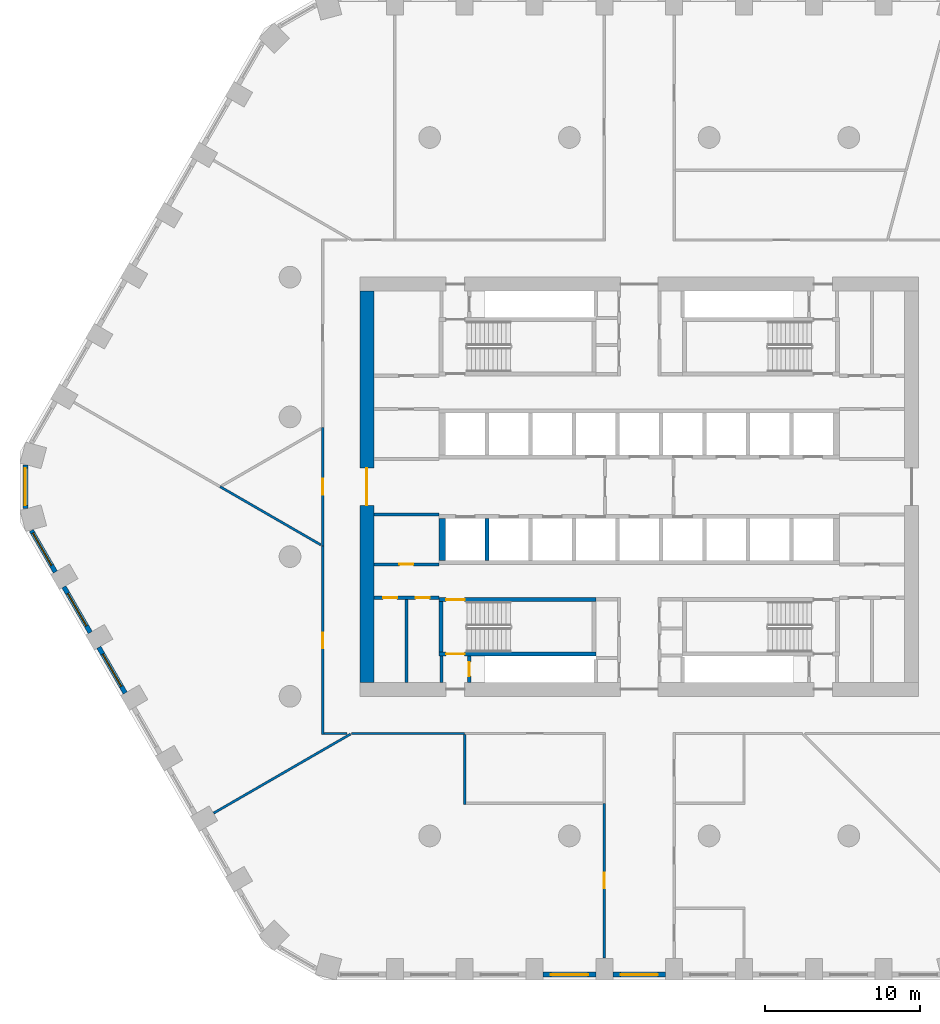
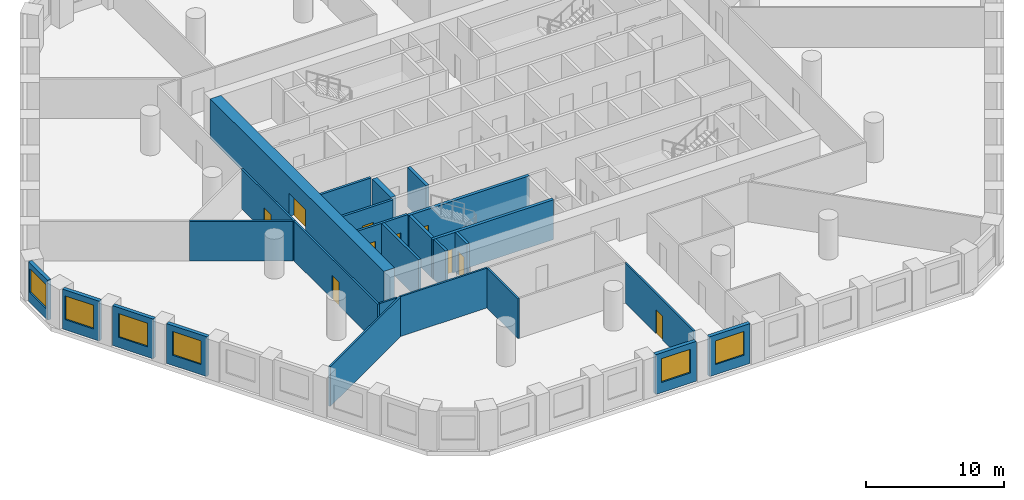
# One storey, part 2 of 10: 26 walls, 10 doors, 6 windows, 16 openings.
"""IFC4 building model written with IfcOpenShell, lengths in metres."""

from ifc_helpers import new_model, si_unit, direction, frame, frame_2d, origin, place, context, subcontext, project, spatial, polyline, rectangle, outline, extrude, material, layer, layer_set, type_object, element, fill, save


model = new_model("IFC4")

# Units and contexts
model_context = context("Model", 3, precision=1e-05, world=origin(), true_north=direction((0.0, 1.0)))
body_context = subcontext(model_context, "Body", "Model", "MODEL_VIEW")
ifc_project = project(units=[si_unit("LENGTHUNIT", "METRE"), si_unit("AREAUNIT", "SQUARE_METRE"), si_unit("VOLUMEUNIT", "CUBIC_METRE"), si_unit("PLANEANGLEUNIT", "RADIAN"), si_unit("MASSUNIT", "GRAM", prefix="KILO")], contexts=[model_context])

# Site, building, storey
site_placement = place(None, origin())
site = spatial("IfcSite", under=ifc_project, at=site_placement, CompositionType="ELEMENT")
building_placement = place(site_placement, origin())
building = spatial("IfcBuilding", under=site, at=building_placement, Name="Dhurran Vertical Campus", CompositionType="ELEMENT")
storey_placement = place(building_placement, frame((0.0, 0.0, 41.699951171875)))
storey = spatial("IfcBuildingStorey", under=building, at=storey_placement, Name="L09", CompositionType="ELEMENT", Elevation=41.699951171875)

# Wall, opening, window
ifc_material_1 = material(Name="Precast concrete C50/60", Category="concrete")
ifc_layer_1 = layer(ifc_material_1, 0.300048828125)
ifc_layer_set_1 = layer_set([ifc_layer_1], Name="Precast concrete C50/60")
wall_type_1 = type_object("IfcWallType", Name="Precast spandrel wall 300", PredefinedType="SOLIDWALL", material=ifc_layer_set_1)
wall_1_placement = place(storey_placement, frame((-6.199462890625, -31.4296875, 0.0), z_axis=(0.0, 0.0, 1.0), x_axis=(1.0, 0.0, 0.0)))
wall_1 = element("IfcWall", 1, at=wall_1_placement, inside=storey, type_object=wall_type_1, Name="EW1 L09.03", PredefinedType="SOLIDWALL", context=body_context, shape_type="SweptSolid", body=[
    extrude(rectangle(XDim=3.39892578125, YDim=0.300048828125, at=frame_2d((1.699462890625, 0.0))), origin(), (0.0, 0.0, 1.0), 3.525146484375),
])
opening_1_placement = place(wall_1_placement, frame((0.49951171875, 0.0, 0.89990234375)))
opening_1 = element("IfcOpeningElement", 2, at=opening_1_placement, cuts=wall_1, Name="Opening WT1", PredefinedType="OPENING", context=body_context, shape_type="SweptSolid", body=[
    extrude(rectangle(XDim=2.39990234375, YDim=2.10009765625, at=frame_2d((1.199951171875, 1.050048828125))), frame((0.0, 0.159912109375, 0.0), z_axis=(0.0, -1.0, 0.0), x_axis=(1.0, 0.0, 0.0)), (0.0, 0.0, 1.0), 0.320068359375),
])
ifc_material_2 = material(Name="Aluminium frame with solar-control glass", Category="aluminium")
window_type = type_object("IfcWindowType", Name="Punched window 2400 x 2100", PartitioningType="SINGLE_PANEL", PredefinedType="WINDOW", material=ifc_material_2)
window_1_placement = place(opening_1_placement, origin())
window_1 = element("IfcWindow", 3, at=window_1_placement, inside=storey, type_object=window_type, Name="WT1 L09.03", OverallHeight=2.10009765625, OverallWidth=2.39990234375, PartitioningType="SINGLE_PANEL", PredefinedType="WINDOW", context=body_context, shape_type="SweptSolid", body=[
    extrude(rectangle(XDim=2.39990234375, YDim=2.10009765625, at=frame_2d((1.199951171875, 1.050048828125))), frame((0.0, 0.030029296875, 0.0), z_axis=(0.0, -1.0, 0.0), x_axis=(1.0, 0.0, 0.0)), (0.0, 0.0, 1.0), 0.06005859375),
])
fill(opening_1, window_1)

wall_2_placement = place(storey_placement, frame((-1.699462890625, -31.4296875, 0.0), z_axis=(0.0, 0.0, 1.0), x_axis=(1.0, 0.0, 0.0)))
wall_2 = element("IfcWall", 4, at=wall_2_placement, inside=storey, type_object=wall_type_1, Name="EW1 L09.04", PredefinedType="SOLIDWALL", context=body_context, shape_type="SweptSolid", body=[
    extrude(rectangle(XDim=3.39892578125, YDim=0.300048828125, at=frame_2d((1.699462890625, 0.0))), origin(), (0.0, 0.0, 1.0), 3.525146484375),
])
opening_2_placement = place(wall_2_placement, frame((0.49951171875, 0.0, 0.89990234375)))
opening_2 = element("IfcOpeningElement", 5, at=opening_2_placement, cuts=wall_2, Name="Opening WT1", PredefinedType="OPENING", context=body_context, shape_type="SweptSolid", body=[
    extrude(rectangle(XDim=2.39990234375, YDim=2.10009765625, at=frame_2d((1.199951171875, 1.050048828125))), frame((0.0, 0.159912109375, 0.0), z_axis=(0.0, -1.0, 0.0), x_axis=(1.0, 0.0, 0.0)), (0.0, 0.0, 1.0), 0.320068359375),
])
window_2_placement = place(opening_2_placement, origin())
window_2 = element("IfcWindow", 6, at=window_2_placement, inside=storey, type_object=window_type, Name="WT1 L09.04", OverallHeight=2.10009765625, OverallWidth=2.39990234375, PartitioningType="SINGLE_PANEL", PredefinedType="WINDOW", context=body_context, shape_type="SweptSolid", body=[
    extrude(rectangle(XDim=2.39990234375, YDim=2.10009765625, at=frame_2d((1.199951171875, 1.050048828125))), frame((0.0, 0.030029296875, 0.0), z_axis=(0.0, -1.0, 0.0), x_axis=(1.0, 0.0, 0.0)), (0.0, 0.0, 1.0), 0.06005859375),
])
fill(opening_2, window_2)

wall_3_placement = place(storey_placement, frame((-39.547119140625, 1.39111328125, 0.0), z_axis=(0.0, 0.0, 1.0), x_axis=(0.0, -1.0, 0.0)))
wall_3 = element("IfcWall", 7, at=wall_3_placement, inside=storey, type_object=wall_type_1, Name="EW1 L09.43", PredefinedType="SOLIDWALL", context=body_context, shape_type="SweptSolid", body=[
    extrude(rectangle(XDim=2.7822265625, YDim=0.300048828125, at=frame_2d((1.39111328125, 0.0))), origin(), (0.0, 0.0, 1.0), 3.525146484375),
])
opening_3_placement = place(wall_3_placement, frame((0.191162109375, 0.0, 0.89990234375)))
opening_3 = element("IfcOpeningElement", 8, at=opening_3_placement, cuts=wall_3, Name="Opening WT1", PredefinedType="OPENING", context=body_context, shape_type="SweptSolid", body=[
    extrude(rectangle(XDim=2.39990234375, YDim=2.10009765625, at=frame_2d((1.199951171875, 1.050048828125))), frame((0.0, 0.159912109375, 0.0), z_axis=(0.0, -1.0, 0.0), x_axis=(1.0, 0.0, 0.0)), (0.0, 0.0, 1.0), 0.320068359375),
])
window_3_placement = place(opening_3_placement, origin())
window_3 = element("IfcWindow", 9, at=window_3_placement, inside=storey, type_object=window_type, Name="WT1 L09.43", OverallHeight=2.10009765625, OverallWidth=2.39990234375, PartitioningType="SINGLE_PANEL", PredefinedType="WINDOW", context=body_context, shape_type="SweptSolid", body=[
    extrude(rectangle(XDim=2.39990234375, YDim=2.10009765625, at=frame_2d((1.199951171875, 1.050048828125))), frame((0.0, 0.030029296875, 0.0), z_axis=(0.0, -1.0, 0.0), x_axis=(1.0, 0.0, 0.0)), (0.0, 0.0, 1.0), 0.06005859375),
])
fill(opening_3, window_3)

wall_4_placement = place(storey_placement, frame((-39.16455078125, -2.81884765625, 0.0), z_axis=(0.0, 0.0, 1.0), x_axis=(0.49997090907, -0.866042198789, 0.0)))
wall_4 = element("IfcWall", 10, at=wall_4_placement, inside=storey, type_object=wall_type_1, Name="EW1 L09.44", PredefinedType="SOLIDWALL", context=body_context, shape_type="SweptSolid", body=[
    extrude(rectangle(XDim=3.090576171875, YDim=0.300048828125, at=frame_2d((1.54541015625, 0.0))), origin(), (0.0, 0.0, 1.0), 3.525146484375),
])
opening_4_placement = place(wall_4_placement, frame((0.19091796875, 0.0, 0.89990234375)))
opening_4 = element("IfcOpeningElement", 11, at=opening_4_placement, cuts=wall_4, Name="Opening WT1", PredefinedType="OPENING", context=body_context, shape_type="SweptSolid", body=[
    extrude(rectangle(XDim=2.39990234375, YDim=2.10009765625, at=frame_2d((1.199951171875, 1.050048828125))), frame((0.0, 0.159912109375, 0.0), z_axis=(0.0, -1.0, 0.0), x_axis=(1.0, 0.0, 0.0)), (0.0, 0.0, 1.0), 0.320068359375),
])
window_4_placement = place(opening_4_placement, origin())
window_4 = element("IfcWindow", 12, at=window_4_placement, inside=storey, type_object=window_type, Name="WT1 L09.44", OverallHeight=2.10009765625, OverallWidth=2.39990234375, PartitioningType="SINGLE_PANEL", PredefinedType="WINDOW", context=body_context, shape_type="SweptSolid", body=[
    extrude(rectangle(XDim=2.39990234375, YDim=2.10009765625, at=frame_2d((1.199951171875, 1.050048828125))), frame((0.0, 0.030029296875, 0.0), z_axis=(0.0, -1.0, 0.0), x_axis=(1.0, 0.0, 0.0)), (0.0, 0.0, 1.0), 0.06005859375),
])
fill(opening_4, window_4)

wall_5_placement = place(storey_placement, frame((-37.06884765625, -6.448974609375, 0.0), z_axis=(0.0, 0.0, 1.0), x_axis=(0.499993955907, -0.866028893315, 0.0)))
wall_5 = element("IfcWall", 13, at=wall_5_placement, inside=storey, type_object=wall_type_1, Name="EW1 L09.45", PredefinedType="SOLIDWALL", context=body_context, shape_type="SweptSolid", body=[
    extrude(rectangle(XDim=3.39892578125, YDim=0.300048828125, at=frame_2d((1.699462890625, 0.0))), origin(), (0.0, 0.0, 1.0), 3.525146484375),
])
opening_5_placement = place(wall_5_placement, frame((0.49951171875, 0.0, 0.89990234375)))
opening_5 = element("IfcOpeningElement", 14, at=opening_5_placement, cuts=wall_5, Name="Opening WT1", PredefinedType="OPENING", context=body_context, shape_type="SweptSolid", body=[
    extrude(rectangle(XDim=2.39990234375, YDim=2.10009765625, at=frame_2d((1.199951171875, 1.050048828125))), frame((0.0, 0.159912109375, 0.0), z_axis=(0.0, -1.0, 0.0), x_axis=(1.0, 0.0, 0.0)), (0.0, 0.0, 1.0), 0.320068359375),
])
window_5_placement = place(opening_5_placement, origin())
window_5 = element("IfcWindow", 15, at=window_5_placement, inside=storey, type_object=window_type, Name="WT1 L09.45", OverallHeight=2.10009765625, OverallWidth=2.39990234375, PartitioningType="SINGLE_PANEL", PredefinedType="WINDOW", context=body_context, shape_type="SweptSolid", body=[
    extrude(rectangle(XDim=2.39990234375, YDim=2.10009765625, at=frame_2d((1.199951171875, 1.050048828125))), frame((0.0, 0.030029296875, 0.0), z_axis=(0.0, -1.0, 0.0), x_axis=(1.0, 0.0, 0.0)), (0.0, 0.0, 1.0), 0.06005859375),
])
fill(opening_5, window_5)

wall_6_placement = place(storey_placement, frame((-34.81884765625, -10.345947265625, 0.0), z_axis=(0.0, 0.0, 1.0), x_axis=(0.499993955907, -0.866028893315, 0.0)))
wall_6 = element("IfcWall", 16, at=wall_6_placement, inside=storey, type_object=wall_type_1, Name="EW1 L09.46", PredefinedType="SOLIDWALL", context=body_context, shape_type="SweptSolid", body=[
    extrude(rectangle(XDim=3.39892578125, YDim=0.300048828125, at=frame_2d((1.699462890625, 0.0))), origin(), (0.0, 0.0, 1.0), 3.525146484375),
])
opening_6_placement = place(wall_6_placement, frame((0.49951171875, 0.0, 0.89990234375)))
opening_6 = element("IfcOpeningElement", 17, at=opening_6_placement, cuts=wall_6, Name="Opening WT1", PredefinedType="OPENING", context=body_context, shape_type="SweptSolid", body=[
    extrude(rectangle(XDim=2.39990234375, YDim=2.10009765625, at=frame_2d((1.199951171875, 1.050048828125))), frame((0.0, 0.159912109375, 0.0), z_axis=(0.0, -1.0, 0.0), x_axis=(1.0, 0.0, 0.0)), (0.0, 0.0, 1.0), 0.320068359375),
])
window_6_placement = place(opening_6_placement, origin())
window_6 = element("IfcWindow", 18, at=window_6_placement, inside=storey, type_object=window_type, Name="WT1 L09.46", OverallHeight=2.10009765625, OverallWidth=2.39990234375, PartitioningType="SINGLE_PANEL", PredefinedType="WINDOW", context=body_context, shape_type="SweptSolid", body=[
    extrude(rectangle(XDim=2.39990234375, YDim=2.10009765625, at=frame_2d((1.199951171875, 1.050048828125))), frame((0.0, 0.030029296875, 0.0), z_axis=(0.0, -1.0, 0.0), x_axis=(1.0, 0.0, 0.0)), (0.0, 0.0, 1.0), 0.06005859375),
])
fill(opening_6, window_6)

# Wall, opening, door
ifc_material_3 = material(Name="Concrete C60/75", Category="concrete")
ifc_layer_2 = layer(ifc_material_3, 0.89990234375)
ifc_layer_set_2 = layer_set([ifc_layer_2], Name="Concrete C60/75")
wall_type_2 = type_object("IfcWallType", Name="co-CORE-WALL-C0-900", PredefinedType="SHEAR", material=ifc_layer_set_2)
wall_7_placement = place(storey_placement, frame((-17.550048828125, -12.60009765625, 0.0), z_axis=(0.0, 0.0, 1.0), x_axis=(0.0, 1.0, 0.0)))
wall_7 = element("IfcWall", 19, at=wall_7_placement, inside=storey, type_object=wall_type_2, Name="Core wall W L09", PredefinedType="SHEAR", context=body_context, shape_type="SweptSolid", body=[
    extrude(rectangle(XDim=25.2001953125, YDim=0.89990234375, at=frame_2d((12.60009765625, 0.0))), origin(), (0.0, 0.0, 1.0), 3.525146484375),
])
opening_7_placement = place(wall_7_placement, frame((11.39990234375, 0.0, 0.0)))
opening_7 = element("IfcOpeningElement", 20, at=opening_7_placement, cuts=wall_7, Name="Opening CL1", PredefinedType="OPENING", context=body_context, shape_type="SweptSolid", body=[
    extrude(rectangle(XDim=2.39990234375, YDim=2.10009765625, at=frame_2d((1.199951171875, 1.050048828125))), frame((0.0, 0.4599609375, 0.0), z_axis=(0.0, -1.0, 0.0), x_axis=(1.0, 0.0, 0.0)), (0.0, 0.0, 1.0), 0.919921875),
])
ifc_material_4 = material(Name="Fire-rated glazed door set")
door_type_1 = type_object("IfcDoorType", Name="co-D-LOBBY 2400x2100", OperationType="DOUBLE_DOOR_DOUBLE_SWING", PredefinedType="DOOR", material=ifc_material_4)
door_1_placement = place(opening_7_placement, origin())
door_1 = element("IfcDoor", 21, at=door_1_placement, inside=storey, type_object=door_type_1, Name="Lift lobby door W L09", OperationType="DOUBLE_DOOR_DOUBLE_SWING", OverallHeight=2.10009765625, OverallWidth=2.39990234375, PredefinedType="DOOR", context=body_context, shape_type="SweptSolid", body=[
    extrude(rectangle(XDim=2.39990234375, YDim=2.10009765625, at=frame_2d((1.199951171875, 1.050048828125))), frame((0.0, 0.02490234375, 0.0), z_axis=(0.0, -1.0, 0.0), x_axis=(1.0, 0.0, 0.0)), (0.0, 0.0, 1.0), 0.050048828125),
])
fill(opening_7, door_1)

# Wall
ifc_material_5 = material(Name="Fire-rated masonry blockwork", Category="masonry")
ifc_layer_3 = layer(ifc_material_5, 0.199951171875)
ifc_layer_set_3 = layer_set([ifc_layer_3], Name="Fire-rated masonry blockwork")
wall_type_3 = type_object("IfcWallType", Name="co-FIRE-PARTITION-200", PredefinedType="PARTITIONING", material=ifc_layer_set_3)
wall_8_placement = place(storey_placement, frame((-12.75, -12.60009765625, 0.0), z_axis=(0.0, 0.0, 1.0), x_axis=(0.0, 1.0, 0.0)))
element("IfcWall", 22, at=wall_8_placement, inside=storey, type_object=wall_type_3, Name="Core partition pass-ST3-o L09", PredefinedType="PARTITIONING", context=body_context, shape_type="SweptSolid", body=[
    extrude(rectangle(XDim=1.7001953125, YDim=0.199951171875, at=frame_2d((0.85009765625, 0.0))), origin(), (0.0, 0.0, 1.0), 3.525146484375),
])

# Wall, opening, door
wall_9_placement = place(storey_placement, frame((-10.949951171875, -12.60009765625, 0.0), z_axis=(0.0, 0.0, 1.0), x_axis=(0.0, 1.0, 0.0)))
wall_9 = element("IfcWall", 23, at=wall_9_placement, inside=storey, type_object=wall_type_3, Name="Core partition pass-ST3-i L09", PredefinedType="PARTITIONING", context=body_context, shape_type="SweptSolid", body=[
    extrude(rectangle(XDim=1.7001953125, YDim=0.199951171875, at=frame_2d((0.85009765625, 0.0))), origin(), (0.0, 0.0, 1.0), 3.525146484375),
])
opening_8_placement = place(wall_9_placement, frame((0.39990234375, 0.0, 0.0)))
opening_8 = element("IfcOpeningElement", 24, at=opening_8_placement, cuts=wall_9, Name="Opening T02-C12", PredefinedType="OPENING", context=body_context, shape_type="SweptSolid", body=[
    extrude(rectangle(XDim=0.89990234375, YDim=2.10009765625, at=frame_2d((0.449951171875, 1.050048828125))), frame((0.0, 0.10986328125, 0.0), z_axis=(0.0, -1.0, 0.0), x_axis=(1.0, 0.0, 0.0)), (0.0, 0.0, 1.0), 0.219970703125),
])
ifc_material_6 = material(Name="Fire-rated timber door set", Category="wood")
door_type_2 = type_object("IfcDoorType", Name="co-D-ROOM 900x2100", OperationType="SINGLE_SWING_LEFT", PredefinedType="DOOR", material=ifc_material_6)
door_2_placement = place(opening_8_placement, origin())
door_2 = element("IfcDoor", 25, at=door_2_placement, inside=storey, type_object=door_type_2, Name="Riser room door L09", OperationType="SINGLE_SWING_LEFT", OverallHeight=2.10009765625, OverallWidth=0.89990234375, PredefinedType="DOOR", context=body_context, shape_type="SweptSolid", body=[
    extrude(rectangle(XDim=0.89990234375, YDim=2.10009765625, at=frame_2d((0.449951171875, 1.050048828125))), frame((0.0, 0.02490234375, 0.0), z_axis=(0.0, -1.0, 0.0), x_axis=(1.0, 0.0, 0.0)), (0.0, 0.0, 1.0), 0.050048828125),
])
fill(opening_8, door_2)

# Wall
wall_10_placement = place(storey_placement, frame((-15.0, -12.60009765625, 0.0), z_axis=(0.0, 0.0, 1.0), x_axis=(0.0, 1.0, 0.0)))
element("IfcWall", 26, at=wall_10_placement, inside=storey, type_object=wall_type_3, Name="Core partition en-SW-cut0 L09", PredefinedType="PARTITIONING", context=body_context, shape_type="SweptSolid", body=[
    extrude(rectangle(XDim=5.4501953125, YDim=0.199951171875, at=frame_2d((2.72509765625, 0.0))), origin(), (0.0, 0.0, 1.0), 3.525146484375),
])

# Wall, openings, doors
wall_11_placement = place(storey_placement, frame((-17.10009765625, -7.14990234375, 0.0), z_axis=(0.0, 0.0, 1.0), x_axis=(1.0, 0.0, 0.0)))
wall_11 = element("IfcWall", 27, at=wall_11_placement, inside=storey, type_object=wall_type_3, Name="Core partition en-SW-w L09", PredefinedType="PARTITIONING", context=body_context, shape_type="SweptSolid", body=[
    extrude(rectangle(XDim=4.2001953125, YDim=0.199951171875, at=frame_2d((2.10009765625, 0.0))), origin(), (0.0, 0.0, 1.0), 3.525146484375),
])
opening_9_placement = place(wall_11_placement, frame((0.60009765625, 0.0, 0.0)))
opening_9 = element("IfcOpeningElement", 28, at=opening_9_placement, cuts=wall_11, Name="Opening T02-C19", PredefinedType="OPENING", context=body_context, shape_type="SweptSolid", body=[
    extrude(rectangle(XDim=0.89990234375, YDim=2.10009765625, at=frame_2d((0.449951171875, 1.050048828125))), frame((0.0, 0.10986328125, 0.0), z_axis=(0.0, -1.0, 0.0), x_axis=(1.0, 0.0, 0.0)), (0.0, 0.0, 1.0), 0.219970703125),
])
opening_10_placement = place(wall_11_placement, frame((2.699951171875, 0.0, 0.0)))
opening_10 = element("IfcOpeningElement", 29, at=opening_10_placement, cuts=wall_11, Name="Opening T02-C20", PredefinedType="OPENING", context=body_context, shape_type="SweptSolid", body=[
    extrude(rectangle(XDim=0.89990234375, YDim=2.10009765625, at=frame_2d((0.449951171875, 1.050048828125))), frame((0.0, 0.10986328125, 0.0), z_axis=(0.0, -1.0, 0.0), x_axis=(1.0, 0.0, 0.0)), (0.0, 0.0, 1.0), 0.219970703125),
])
door_3_placement = place(opening_9_placement, origin())
door_3 = element("IfcDoor", 30, at=door_3_placement, inside=storey, type_object=door_type_2, Name="Plant room door L09", OperationType="SINGLE_SWING_LEFT", OverallHeight=2.10009765625, OverallWidth=0.89990234375, PredefinedType="DOOR", context=body_context, shape_type="SweptSolid", body=[
    extrude(rectangle(XDim=0.89990234375, YDim=2.10009765625, at=frame_2d((0.449951171875, 1.050048828125))), frame((0.0, 0.02490234375, 0.0), z_axis=(0.0, -1.0, 0.0), x_axis=(1.0, 0.0, 0.0)), (0.0, 0.0, 1.0), 0.050048828125),
])
fill(opening_9, door_3)
door_4_placement = place(opening_10_placement, origin())
door_4 = element("IfcDoor", 31, at=door_4_placement, inside=storey, type_object=door_type_2, Name="Plant room door L09", OperationType="SINGLE_SWING_LEFT", OverallHeight=2.10009765625, OverallWidth=0.89990234375, PredefinedType="DOOR", context=body_context, shape_type="SweptSolid", body=[
    extrude(rectangle(XDim=0.89990234375, YDim=2.10009765625, at=frame_2d((0.449951171875, 1.050048828125))), frame((0.0, 0.02490234375, 0.0), z_axis=(0.0, -1.0, 0.0), x_axis=(1.0, 0.0, 0.0)), (0.0, 0.0, 1.0), 0.050048828125),
])
fill(opening_10, door_4)

# Wall, opening, door
wall_12_placement = place(storey_placement, frame((-17.10009765625, -5.0, 0.0), z_axis=(0.0, 0.0, 1.0), x_axis=(1.0, 0.0, 0.0)))
wall_12 = element("IfcWall", 32, at=wall_12_placement, inside=storey, type_object=wall_type_3, Name="Core partition es-SW-w L09", PredefinedType="PARTITIONING", context=body_context, shape_type="SweptSolid", body=[
    extrude(rectangle(XDim=4.2001953125, YDim=0.199951171875, at=frame_2d((2.10009765625, 0.0))), origin(), (0.0, 0.0, 1.0), 3.525146484375),
])
opening_11_placement = place(wall_12_placement, frame((1.64990234375, 0.0, 0.0)))
opening_11 = element("IfcOpeningElement", 33, at=opening_11_placement, cuts=wall_12, Name="Opening T02-C21", PredefinedType="OPENING", context=body_context, shape_type="SweptSolid", body=[
    extrude(rectangle(XDim=0.89990234375, YDim=2.10009765625, at=frame_2d((0.449951171875, 1.050048828125))), frame((0.0, 0.10986328125, 0.0), z_axis=(0.0, -1.0, 0.0), x_axis=(1.0, 0.0, 0.0)), (0.0, 0.0, 1.0), 0.219970703125),
])
door_5_placement = place(opening_11_placement, origin())
door_5 = element("IfcDoor", 34, at=door_5_placement, inside=storey, type_object=door_type_2, Name="Store door L09", OperationType="SINGLE_SWING_LEFT", OverallHeight=2.10009765625, OverallWidth=0.89990234375, PredefinedType="DOOR", context=body_context, shape_type="SweptSolid", body=[
    extrude(rectangle(XDim=0.89990234375, YDim=2.10009765625, at=frame_2d((0.449951171875, 1.050048828125))), frame((0.0, 0.02490234375, 0.0), z_axis=(0.0, -1.0, 0.0), x_axis=(1.0, 0.0, 0.0)), (0.0, 0.0, 1.0), 0.050048828125),
])
fill(opening_11, door_5)

# Walls
wall_13_placement = place(storey_placement, frame((-17.10009765625, -1.800048828125, 0.0), z_axis=(0.0, 0.0, 1.0), x_axis=(1.0, 0.0, 0.0)))
element("IfcWall", 35, at=wall_13_placement, inside=storey, type_object=wall_type_3, Name="Core partition es-SW-l L09", PredefinedType="PARTITIONING", context=body_context, shape_type="SweptSolid", body=[
    extrude(rectangle(XDim=4.2001953125, YDim=0.199951171875, at=frame_2d((2.10009765625, 0.0))), origin(), (0.0, 0.0, 1.0), 3.525146484375),
])
ifc_material_7 = material(Name="Concrete C50/60", Category="concrete")
ifc_layer_4 = layer(ifc_material_7, 0.25)
ifc_layer_set_4 = layer_set([ifc_layer_4], Name="Concrete C50/60")
wall_type_4 = type_object("IfcWallType", Name="co-SHAFT-MASS-250", PredefinedType="SHEAR", material=ifc_layer_set_4)
wall_14_placement = place(storey_placement, origin())
element("IfcWall", 36, at=wall_14_placement, inside=storey, type_object=wall_type_4, Name="Lift shaft wall S L09 2", PredefinedType="SHEAR", context=body_context, shape_type="SweptSolid", body=[
    extrude(outline(polyline([(-12.89990234375, -4.75), (-12.47509765625, -4.75), (-12.47509765625, -2.050048828125), (-12.89990234375, -2.050048828125), (-12.89990234375, -4.75)])), origin(), (0.0, 0.0, 1.0), 3.525146484375),
])
wall_15_placement = place(storey_placement, origin())
element("IfcWall", 37, at=wall_15_placement, inside=storey, type_object=wall_type_4, Name="Lift shaft wall S L09 3", PredefinedType="SHEAR", context=body_context, shape_type="SweptSolid", body=[
    extrude(outline(polyline([(-9.925048828125, -4.75), (-9.675048828125, -4.75), (-9.675048828125, -2.050048828125), (-9.925048828125, -2.050048828125), (-9.925048828125, -4.75)])), origin(), (0.0, 0.0, 1.0), 3.525146484375),
])

# Wall, opening, door
ifc_material_8 = material(Name="Concrete C40/50", Category="concrete")
ifc_layer_5 = layer(ifc_material_8, 0.25)
ifc_layer_set_5 = layer_set([ifc_layer_5], Name="Concrete C40/50")
wall_type_5 = type_object("IfcWallType", Name="co-STAIR-WALL-250", PredefinedType="SHEAR", material=ifc_layer_set_5)
wall_16_placement = place(storey_placement, frame((-12.89990234375, -10.77490234375, 0.0), z_axis=(0.0, 0.0, 1.0), x_axis=(1.0, 0.0, 0.0)))
wall_16 = element("IfcWall", 38, at=wall_16_placement, inside=storey, type_object=wall_type_5, Name="Stair ST3 enclosure wall L09", PredefinedType="SHEAR", context=body_context, shape_type="SweptSolid", body=[
    extrude(rectangle(XDim=10.099853515625, YDim=0.25, at=frame_2d((5.0498046875, 0.0))), origin(), (0.0, 0.0, 1.0), 3.525146484375),
])
opening_12_placement = place(wall_16_placement, frame((0.449951171875, 0.0, 0.0)))
opening_12 = element("IfcOpeningElement", 39, at=opening_12_placement, cuts=wall_16, Name="Opening XS3", PredefinedType="OPENING", context=body_context, shape_type="SweptSolid", body=[
    extrude(rectangle(XDim=1.199951171875, YDim=2.10009765625, at=frame_2d((0.60009765625, 1.050048828125))), frame((0.0, 0.135009765625, 0.0), z_axis=(0.0, -1.0, 0.0), x_axis=(1.0, 0.0, 0.0)), (0.0, 0.0, 1.0), 0.27001953125),
])
ifc_material_9 = material(Name="Fire-rated steel door set", Category="steel")
door_type_3 = type_object("IfcDoorType", Name="co-D-STAIR-EXIT 1200x2100", OperationType="SINGLE_SWING_RIGHT", PredefinedType="DOOR", material=ifc_material_9)
door_6_placement = place(opening_12_placement, origin())
door_6 = element("IfcDoor", 40, at=door_6_placement, inside=storey, type_object=door_type_3, Name="Stair ST3 discharge door L09", OperationType="SINGLE_SWING_RIGHT", OverallHeight=2.10009765625, OverallWidth=1.199951171875, PredefinedType="DOOR", context=body_context, shape_type="SweptSolid", body=[
    extrude(rectangle(XDim=1.199951171875, YDim=2.10009765625, at=frame_2d((0.60009765625, 1.050048828125))), frame((0.0, 0.02490234375, 0.0), z_axis=(0.0, -1.0, 0.0), x_axis=(1.0, 0.0, 0.0)), (0.0, 0.0, 1.0), 0.050048828125),
])
fill(opening_12, door_6)

wall_17_placement = place(storey_placement, frame((-12.89990234375, -7.27490234375, 0.0), z_axis=(0.0, 0.0, 1.0), x_axis=(1.0, 0.0, 0.0)))
wall_17 = element("IfcWall", 41, at=wall_17_placement, inside=storey, type_object=wall_type_5, Name="Stair ST3 enclosure wall L09", PredefinedType="SHEAR", context=body_context, shape_type="SweptSolid", body=[
    extrude(rectangle(XDim=10.099853515625, YDim=0.25, at=frame_2d((5.0498046875, 0.0))), origin(), (0.0, 0.0, 1.0), 3.525146484375),
])
opening_13_placement = place(wall_17_placement, frame((0.449951171875, 0.0, 0.0)))
opening_13 = element("IfcOpeningElement", 42, at=opening_13_placement, cuts=wall_17, Name="Opening SD3", PredefinedType="OPENING", context=body_context, shape_type="SweptSolid", body=[
    extrude(rectangle(XDim=1.199951171875, YDim=2.10009765625, at=frame_2d((0.60009765625, 1.050048828125))), frame((0.0, 0.135009765625, 0.0), z_axis=(0.0, -1.0, 0.0), x_axis=(1.0, 0.0, 0.0)), (0.0, 0.0, 1.0), 0.27001953125),
])
ifc_material_10 = material(Name="Fire-rated steel door set", Category="steel")
door_type_4 = type_object("IfcDoorType", Name="co-D-STAIR 1200x2100", OperationType="SINGLE_SWING_LEFT", PredefinedType="DOOR", material=ifc_material_10)
door_7_placement = place(opening_13_placement, origin())
door_7 = element("IfcDoor", 43, at=door_7_placement, inside=storey, type_object=door_type_4, Name="Stair ST3 door L09", OperationType="SINGLE_SWING_LEFT", OverallHeight=2.10009765625, OverallWidth=1.199951171875, PredefinedType="DOOR", context=body_context, shape_type="SweptSolid", body=[
    extrude(rectangle(XDim=1.199951171875, YDim=2.10009765625, at=frame_2d((0.60009765625, 1.050048828125))), frame((0.0, 0.02490234375, 0.0), z_axis=(0.0, -1.0, 0.0), x_axis=(1.0, 0.0, 0.0)), (0.0, 0.0, 1.0), 0.050048828125),
])
fill(opening_13, door_7)

# Wall
wall_18_placement = place(storey_placement, frame((-12.77490234375, -10.64990234375, 0.0), z_axis=(0.0, 0.0, 1.0), x_axis=(0.0, 1.0, 0.0)))
element("IfcWall", 44, at=wall_18_placement, inside=storey, type_object=wall_type_5, Name="Stair ST3 enclosure wall L09", PredefinedType="SHEAR", context=body_context, shape_type="SweptSolid", body=[
    extrude(rectangle(XDim=3.25, YDim=0.25, at=frame_2d((1.625, 0.0))), origin(), (0.0, 0.0, 1.0), 3.525146484375),
])

# Wall, opening, door
ifc_material_11 = material(Name="Gypsum board corridor wall on steel studs", Category="steel")
ifc_layer_6 = layer(ifc_material_11, 0.14990234375)
ifc_layer_set_6 = layer_set([ifc_layer_6], Name="Gypsum board corridor wall on steel studs")
wall_type_6 = type_object("IfcWallType", Name="fl-CW-150 corridor wall", PredefinedType="PARTITIONING", material=ifc_layer_set_6)
wall_19_placement = place(storey_placement, frame((-20.39990234375, -3.81103515625, 0.0), z_axis=(0.0, 0.0, 1.0), x_axis=(0.0, -1.0, 0.0)))
wall_19 = element("IfcWall", 45, at=wall_19_placement, inside=storey, type_object=wall_type_6, Name="Partition 09-06", PredefinedType="PARTITIONING", context=body_context, shape_type="SweptSolid", body=[
    extrude(rectangle(XDim=12.1640625, YDim=0.14990234375, at=frame_2d((6.08203125, 0.0))), origin(), (0.0, 0.0, 1.0), 3.525146484375),
])
opening_14_placement = place(wall_19_placement, frame((5.58203125, 0.0, 0.0)))
opening_14 = element("IfcOpeningElement", 46, at=opening_14_placement, cuts=wall_19, Name="Opening T02.01", PredefinedType="OPENING", context=body_context, shape_type="SweptSolid", body=[
    extrude(rectangle(XDim=1.0, YDim=2.10009765625, at=frame_2d((0.5, 1.050048828125))), frame((0.0, 0.0849609375, 0.0), z_axis=(0.0, -1.0, 0.0), x_axis=(1.0, 0.0, 0.0)), (0.0, 0.0, 1.0), 0.169921875),
])
ifc_material_12 = material(Name="Solid-core timber door set, fire-rated", Category="wood")
door_type_5 = type_object("IfcDoorType", Name="fl-D-1000x2100", OperationType="SINGLE_SWING_LEFT", PredefinedType="DOOR", material=ifc_material_12)
door_8_placement = place(opening_14_placement, origin())
door_8 = element("IfcDoor", 47, at=door_8_placement, inside=storey, type_object=door_type_5, Name="Door 09.01", OperationType="SINGLE_SWING_RIGHT", OverallHeight=2.10009765625, OverallWidth=1.0, PredefinedType="DOOR", context=body_context, shape_type="SweptSolid", body=[
    extrude(rectangle(XDim=1.0, YDim=2.10009765625, at=frame_2d((0.5, 1.050048828125))), frame((0.0, 0.02490234375, 0.0), z_axis=(0.0, -1.0, 0.0), x_axis=(1.0, 0.0, 0.0)), (0.0, 0.0, 1.0), 0.050048828125),
])
fill(opening_14, door_8)

# Wall
wall_20_placement = place(storey_placement, frame((-20.324951171875, -15.89990234375, 0.0), z_axis=(0.0, 0.0, 1.0), x_axis=(1.0, 0.0, 0.0)))
element("IfcWall", 48, at=wall_20_placement, inside=storey, type_object=wall_type_6, Name="Partition 09-07", PredefinedType="PARTITIONING", context=body_context, shape_type="SweptSolid", body=[
    extrude(rectangle(XDim=1.510009765625, YDim=0.14990234375, at=frame_2d((0.7548828125, 0.0))), origin(), (0.0, 0.0, 1.0), 3.525146484375),
])

# Wall, opening, door
wall_21_placement = place(storey_placement, frame((-20.39990234375, 3.81103515625, 0.0), z_axis=(0.0, 0.0, 1.0), x_axis=(0.0, -1.0, 0.0)))
wall_21 = element("IfcWall", 49, at=wall_21_placement, inside=storey, type_object=wall_type_6, Name="Partition 09-08", PredefinedType="PARTITIONING", context=body_context, shape_type="SweptSolid", body=[
    extrude(rectangle(XDim=7.6220703125, YDim=0.14990234375, at=frame_2d((3.81103515625, 0.0))), origin(), (0.0, 0.0, 1.0), 3.525146484375),
])
opening_15_placement = place(wall_21_placement, frame((3.31103515625, 0.0, 0.0)))
opening_15 = element("IfcOpeningElement", 50, at=opening_15_placement, cuts=wall_21, Name="Opening T02.03", PredefinedType="OPENING", context=body_context, shape_type="SweptSolid", body=[
    extrude(rectangle(XDim=1.0, YDim=2.10009765625, at=frame_2d((0.5, 1.050048828125))), frame((0.0, 0.0849609375, 0.0), z_axis=(0.0, -1.0, 0.0), x_axis=(1.0, 0.0, 0.0)), (0.0, 0.0, 1.0), 0.169921875),
])
door_9_placement = place(opening_15_placement, origin())
door_9 = element("IfcDoor", 51, at=door_9_placement, inside=storey, type_object=door_type_5, Name="Door 09.03", OperationType="SINGLE_SWING_RIGHT", OverallHeight=2.10009765625, OverallWidth=1.0, PredefinedType="DOOR", context=body_context, shape_type="SweptSolid", body=[
    extrude(rectangle(XDim=1.0, YDim=2.10009765625, at=frame_2d((0.5, 1.050048828125))), frame((0.0, 0.02490234375, 0.0), z_axis=(0.0, -1.0, 0.0), x_axis=(1.0, 0.0, 0.0)), (0.0, 0.0, 1.0), 0.050048828125),
])
fill(opening_15, door_9)

# Wall
wall_22_placement = place(storey_placement, frame((-18.5400390625, -15.89990234375, 0.0), z_axis=(0.0, 0.0, 1.0), x_axis=(1.0, 0.0, 0.0)))
element("IfcWall", 52, at=wall_22_placement, inside=storey, type_object=wall_type_6, Name="Partition 09-11", PredefinedType="PARTITIONING", context=body_context, shape_type="SweptSolid", body=[
    extrude(rectangle(XDim=7.2900390625, YDim=0.14990234375, at=frame_2d((3.64501953125, 0.0))), origin(), (0.0, 0.0, 1.0), 3.525146484375),
])

# Wall, opening, door
wall_23_placement = place(storey_placement, frame((-2.25, -30.35986328125, 0.0), z_axis=(0.0, 0.0, 1.0), x_axis=(0.0, 1.0, 0.0)))
wall_23 = element("IfcWall", 53, at=wall_23_placement, inside=storey, type_object=wall_type_6, Name="Partition 09-18", PredefinedType="PARTITIONING", context=body_context, shape_type="SweptSolid", body=[
    extrude(rectangle(XDim=9.9599609375, YDim=0.14990234375, at=frame_2d((4.97998046875, 0.0))), origin(), (0.0, 0.0, 1.0), 3.525146484375),
])
opening_16_placement = place(wall_23_placement, frame((4.47998046875, 0.0, 0.0)))
opening_16 = element("IfcOpeningElement", 54, at=opening_16_placement, cuts=wall_23, Name="Opening T02.05", PredefinedType="OPENING", context=body_context, shape_type="SweptSolid", body=[
    extrude(rectangle(XDim=1.0, YDim=2.10009765625, at=frame_2d((0.5, 1.050048828125))), frame((0.0, 0.0849609375, 0.0), z_axis=(0.0, -1.0, 0.0), x_axis=(1.0, 0.0, 0.0)), (0.0, 0.0, 1.0), 0.169921875),
])
door_10_placement = place(opening_16_placement, origin())
door_10 = element("IfcDoor", 55, at=door_10_placement, inside=storey, type_object=door_type_5, Name="Door 09.05", OperationType="SINGLE_SWING_RIGHT", OverallHeight=2.10009765625, OverallWidth=1.0, PredefinedType="DOOR", context=body_context, shape_type="SweptSolid", body=[
    extrude(rectangle(XDim=1.0, YDim=2.10009765625, at=frame_2d((0.5, 1.050048828125))), frame((0.0, 0.02490234375, 0.0), z_axis=(0.0, -1.0, 0.0), x_axis=(1.0, 0.0, 0.0)), (0.0, 0.0, 1.0), 0.050048828125),
])
fill(opening_16, door_10)

# Walls
ifc_material_13 = material(Name="Gypsum board partition on steel studs", Category="steel")
ifc_layer_7 = layer(ifc_material_13, 0.14990234375)
ifc_layer_set_7 = layer_set([ifc_layer_7], Name="Gypsum board partition on steel studs")
wall_type_7 = type_object("IfcWallType", Name="fl-PW-150 fixed partition", PredefinedType="PARTITIONING", material=ifc_layer_set_7)
wall_24_placement = place(storey_placement, frame((-18.60498046875, -15.9375, 0.0), z_axis=(0.0, 0.0, 1.0), x_axis=(-0.86599299422, -0.500056130812, 0.0)))
element("IfcWall", 56, at=wall_24_placement, inside=storey, type_object=wall_type_7, Name="Partition 09-02", PredefinedType="PARTITIONING", context=body_context, shape_type="SweptSolid", body=[
    extrude(rectangle(XDim=10.175537109375, YDim=0.14990234375, at=frame_2d((5.087890625, 0.0))), origin(), (0.0, 0.0, 1.0), 3.525146484375),
])
wall_25_placement = place(storey_placement, frame((-27.0, 0.0, 0.0), z_axis=(0.0, 0.0, 1.0), x_axis=(0.865996173008, -0.500050625772, 0.0)))
element("IfcWall", 57, at=wall_25_placement, inside=storey, type_object=wall_type_7, Name="Partition 09-04", PredefinedType="PARTITIONING", context=body_context, shape_type="SweptSolid", body=[
    extrude(rectangle(XDim=7.491455078125, YDim=0.14990234375, at=frame_2d((3.74560546875, 0.0))), origin(), (0.0, 0.0, 1.0), 3.525146484375),
])
wall_26_placement = place(storey_placement, frame((-11.25, -15.97509765625, 0.0), z_axis=(0.0, 0.0, 1.0), x_axis=(0.0, -1.0, 0.0)))
element("IfcWall", 58, at=wall_26_placement, inside=storey, type_object=wall_type_7, Name="Partition 09-15", PredefinedType="PARTITIONING", context=body_context, shape_type="SweptSolid", body=[
    extrude(rectangle(XDim=4.5, YDim=0.14990234375, at=frame_2d((2.25, 0.0))), origin(), (0.0, 0.0, 1.0), 3.525146484375),
])

save(model, "model.ifc")
